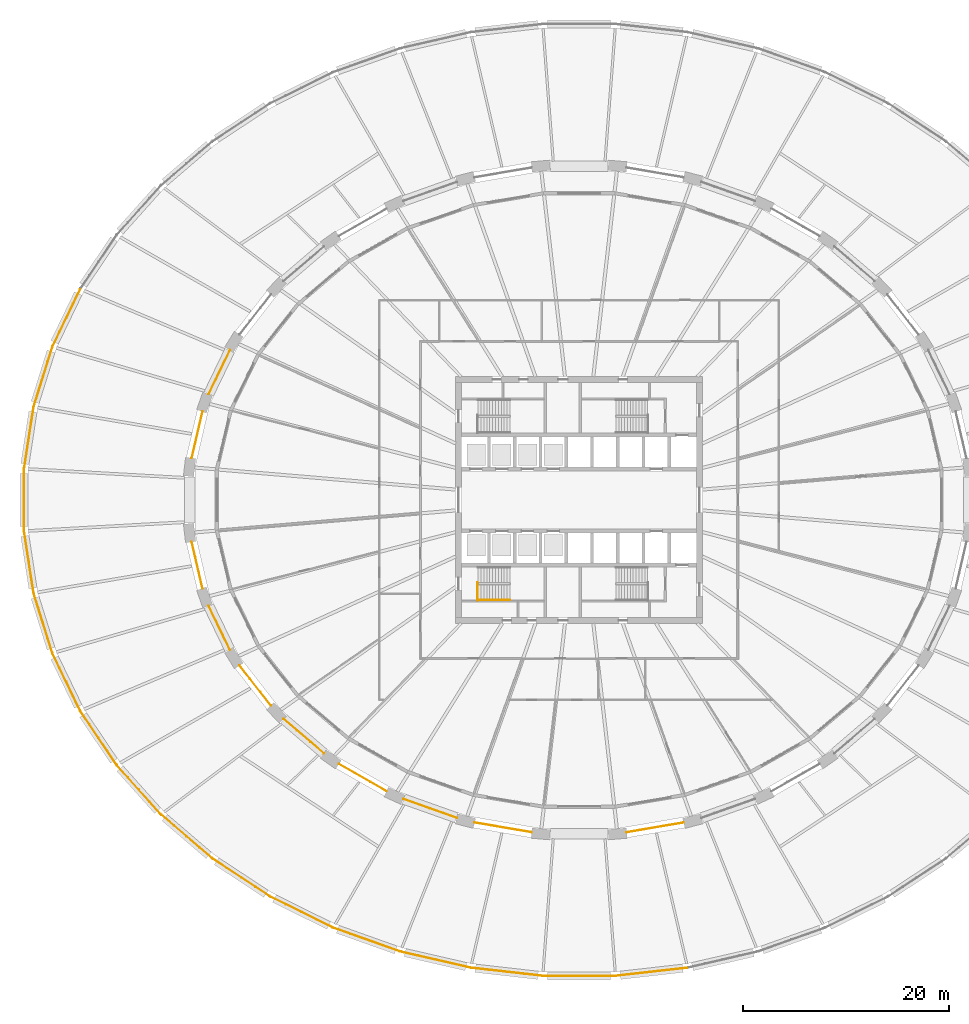
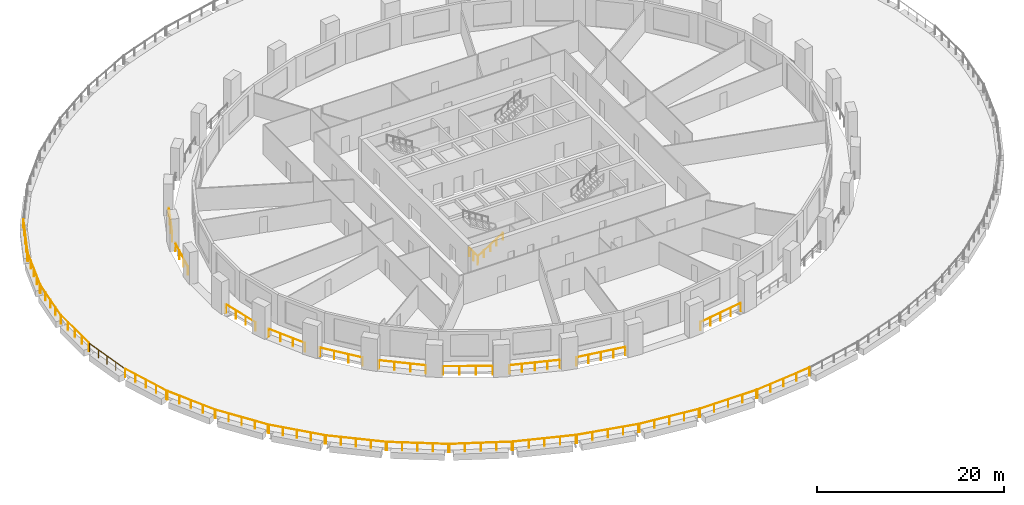
# One storey, part 12 of 16: 29 railings.
"""IFC4 building model written with IfcOpenShell, lengths in metres."""

from ifc_helpers import new_model, si_unit, direction, frame, origin, origin_2d, place, context, subcontext, project, spatial, circle, extrude, material, type_object, element, save


model = new_model("IFC4")

# Units and contexts
model_context = context("Model", 3, precision=1e-05, world=origin(), true_north=direction((0.0, 1.0)))
body_context = subcontext(model_context, "Body", "Model", "MODEL_VIEW")
ifc_project = project(units=[si_unit("LENGTHUNIT", "METRE"), si_unit("AREAUNIT", "SQUARE_METRE"), si_unit("VOLUMEUNIT", "CUBIC_METRE"), si_unit("PLANEANGLEUNIT", "RADIAN"), si_unit("MASSUNIT", "GRAM", prefix="KILO")], contexts=[model_context])

# Site, building, storey
site_placement = place(None, origin())
site = spatial("IfcSite", under=ifc_project, at=site_placement, CompositionType="ELEMENT")
building_placement = place(site_placement, origin())
building = spatial("IfcBuilding", under=site, at=building_placement, Name="Halqa Exchange Tower", CompositionType="ELEMENT")
storey_placement = place(building_placement, frame((0.0, 0.0, 23.5)))
storey = spatial("IfcBuildingStorey", under=building, at=storey_placement, Name="L04", CompositionType="ELEMENT", Elevation=23.5)

# Railings
ifc_material = material(Name="Stainless steel", Category="steel")
railing_type_1 = type_object("IfcRailingType", Name="Guard 1100 stainless steel", PredefinedType="GUARDRAIL", material=ifc_material)
railing_1_placement = place(storey_placement, frame((-33.904541015625, 14.543701171875, 0.0)))
element("IfcRailing", 1, at=railing_1_placement, inside=storey, type_object=railing_type_1, Name="Loggia guard 14", PredefinedType="GUARDRAIL", context=body_context, shape_type="SweptSolid", body=[
    extrude(circle(Radius=0.02392578125, at=origin_2d()), frame((0.0, 0.0, 1.076171875), z_axis=(-0.435129787392, -0.900367740495, 0.0), x_axis=(0.900367740495, -0.435129787392, 0.0)), (0.0, 0.0, 1.0), 4.751708984375),
    extrude(circle(Radius=0.02099609375, at=origin_2d()), origin(), (0.0, 0.0, 1.0), 1.052001953125),
    extrude(circle(Radius=0.02099609375, at=origin_2d()), frame((-0.689208984375, -1.426025390625, 0.0)), (0.0, 0.0, 1.0), 1.052001953125),
    extrude(circle(Radius=0.02099609375, at=origin_2d()), frame((-1.37841796875, -2.852294921875, 0.0)), (0.0, 0.0, 1.0), 1.052001953125),
    extrude(circle(Radius=0.02099609375, at=origin_2d()), frame((-2.067626953125, -4.2783203125, 0.0)), (0.0, 0.0, 1.0), 1.052001953125),
])
railing_2_placement = place(storey_placement, frame((-36.567138671875, 8.578369140625, 0.0)))
element("IfcRailing", 2, at=railing_2_placement, inside=storey, type_object=railing_type_1, Name="Loggia guard 15", PredefinedType="GUARDRAIL", context=body_context, shape_type="SweptSolid", body=[
    extrude(circle(Radius=0.02392578125, at=origin_2d()), frame((0.0, 0.0, 1.076171875), z_axis=(-0.22605731834, -0.974114001965, 0.0), x_axis=(0.974114001965, -0.22605731834, 0.0)), (0.0, 0.0, 1.0), 4.62890625),
    extrude(circle(Radius=0.02099609375, at=origin_2d()), origin(), (0.0, 0.0, 1.0), 1.052001953125),
    extrude(circle(Radius=0.02099609375, at=origin_2d()), frame((-0.348876953125, -1.5029296875, 0.0)), (0.0, 0.0, 1.0), 1.052001953125),
    extrude(circle(Radius=0.02099609375, at=origin_2d()), frame((-0.697509765625, -3.006103515625, 0.0)), (0.0, 0.0, 1.0), 1.052001953125),
    extrude(circle(Radius=0.02099609375, at=origin_2d()), frame((-1.04638671875, -4.509033203125, 0.0)), (0.0, 0.0, 1.0), 1.052001953125),
])
railing_3_placement = place(storey_placement, frame((-37.613525390625, -4.0693359375, 0.0)))
element("IfcRailing", 3, at=railing_3_placement, inside=storey, type_object=railing_type_1, Name="Loggia guard 17", PredefinedType="GUARDRAIL", context=body_context, shape_type="SweptSolid", body=[
    extrude(circle(Radius=0.02392578125, at=origin_2d()), frame((0.0, 0.0, 1.076171875), z_axis=(0.22605731834, -0.974114001965, 0.0), x_axis=(0.974114001965, 0.22605731834, 0.0)), (0.0, 0.0, 1.0), 4.62890625),
    extrude(circle(Radius=0.02099609375, at=origin_2d()), origin(), (0.0, 0.0, 1.0), 1.052001953125),
    extrude(circle(Radius=0.02099609375, at=origin_2d()), frame((0.348876953125, -1.5029296875, 0.0)), (0.0, 0.0, 1.0), 1.052001953125),
    extrude(circle(Radius=0.02099609375, at=origin_2d()), frame((0.697509765625, -3.006103515625, 0.0)), (0.0, 0.0, 1.0), 1.052001953125),
    extrude(circle(Radius=0.02099609375, at=origin_2d()), frame((1.04638671875, -4.509033203125, 0.0)), (0.0, 0.0, 1.0), 1.052001953125),
])
railing_4_placement = place(storey_placement, frame((-35.97216796875, -10.265380859375, 0.0)))
element("IfcRailing", 4, at=railing_4_placement, inside=storey, type_object=railing_type_1, Name="Loggia guard 18", PredefinedType="GUARDRAIL", context=body_context, shape_type="SweptSolid", body=[
    extrude(circle(Radius=0.02392578125, at=origin_2d()), frame((0.0, 0.0, 1.076171875), z_axis=(0.435129787392, -0.900367740495, 0.0), x_axis=(0.900367740495, 0.435129787392, 0.0)), (0.0, 0.0, 1.0), 4.751708984375),
    extrude(circle(Radius=0.02099609375, at=origin_2d()), origin(), (0.0, 0.0, 1.0), 1.052001953125),
    extrude(circle(Radius=0.02099609375, at=origin_2d()), frame((0.689208984375, -1.426025390625, 0.0)), (0.0, 0.0, 1.0), 1.052001953125),
    extrude(circle(Radius=0.02099609375, at=origin_2d()), frame((1.37841796875, -2.852294921875, 0.0)), (0.0, 0.0, 1.0), 1.052001953125),
    extrude(circle(Radius=0.02099609375, at=origin_2d()), frame((2.067626953125, -4.2783203125, 0.0)), (0.0, 0.0, 1.0), 1.052001953125),
])
railing_5_placement = place(storey_placement, frame((-32.959716796875, -16.06396484375, 0.0)))
element("IfcRailing", 5, at=railing_5_placement, inside=storey, type_object=railing_type_1, Name="Loggia guard 19", PredefinedType="GUARDRAIL", context=body_context, shape_type="SweptSolid", body=[
    extrude(circle(Radius=0.02392578125, at=origin_2d()), frame((0.0, 0.0, 1.076171875), z_axis=(0.614810778124, -0.78867465225, 0.0), x_axis=(0.78867465225, 0.614810778124, 0.0)), (0.0, 0.0, 1.0), 4.931640625),
    extrude(circle(Radius=0.02099609375, at=origin_2d()), origin(), (0.0, 0.0, 1.0), 1.052001953125),
    extrude(circle(Radius=0.02099609375, at=origin_2d()), frame((1.0107421875, -1.29638671875, 0.0)), (0.0, 0.0, 1.0), 1.052001953125),
    extrude(circle(Radius=0.02099609375, at=origin_2d()), frame((2.021240234375, -2.593017578125, 0.0)), (0.0, 0.0, 1.0), 1.052001953125),
    extrude(circle(Radius=0.02099609375, at=origin_2d()), frame((3.031982421875, -3.889404296875, 0.0)), (0.0, 0.0, 1.0), 1.052001953125),
])
railing_6_placement = place(storey_placement, frame((-28.691162109375, -21.248779296875, 0.0)))
element("IfcRailing", 6, at=railing_6_placement, inside=storey, type_object=railing_type_1, Name="Loggia guard 20", PredefinedType="GUARDRAIL", context=body_context, shape_type="SweptSolid", body=[
    extrude(circle(Radius=0.02392578125, at=origin_2d()), frame((0.0, 0.0, 1.076171875), z_axis=(0.759266665229, -0.650779633265, 0.0), x_axis=(0.650779633265, 0.759266665229, 0.0)), (0.0, 0.0, 1.0), 5.1376953125),
    extrude(circle(Radius=0.02099609375, at=origin_2d()), origin(), (0.0, 0.0, 1.0), 1.052001953125),
    extrude(circle(Radius=0.02099609375, at=origin_2d()), frame((1.30029296875, -1.114501953125, 0.0)), (0.0, 0.0, 1.0), 1.052001953125),
    extrude(circle(Radius=0.02099609375, at=origin_2d()), frame((2.6005859375, -2.22900390625, 0.0)), (0.0, 0.0, 1.0), 1.052001953125),
    extrude(circle(Radius=0.02099609375, at=origin_2d()), frame((3.90087890625, -3.343505859375, 0.0)), (0.0, 0.0, 1.0), 1.052001953125),
])
railing_7_placement = place(storey_placement, frame((-23.325927734375, -25.625244140625, 0.0)))
element("IfcRailing", 7, at=railing_7_placement, inside=storey, type_object=railing_type_1, Name="Loggia guard 21", PredefinedType="GUARDRAIL", context=body_context, shape_type="SweptSolid", body=[
    extrude(circle(Radius=0.02392578125, at=origin_2d()), frame((0.0, 0.0, 1.076171875), z_axis=(0.867752964109, -0.496995767869, 0.0), x_axis=(0.496995767869, 0.867752964109, 0.0)), (0.0, 0.0, 1.0), 5.337646484375),
    extrude(circle(Radius=0.02099609375, at=origin_2d()), origin(), (0.0, 0.0, 1.0), 1.052001953125),
    extrude(circle(Radius=0.02099609375, at=origin_2d()), frame((1.5439453125, -0.88427734375, 0.0)), (0.0, 0.0, 1.0), 1.052001953125),
    extrude(circle(Radius=0.02099609375, at=origin_2d()), frame((3.087890625, -1.7685546875, 0.0)), (0.0, 0.0, 1.0), 1.052001953125),
    extrude(circle(Radius=0.02099609375, at=origin_2d()), frame((4.6318359375, -2.65283203125, 0.0)), (0.0, 0.0, 1.0), 1.052001953125),
])
railing_8_placement = place(storey_placement, frame((-17.06494140625, -29.026611328125, 0.0)))
element("IfcRailing", 8, at=railing_8_placement, inside=storey, type_object=railing_type_1, Name="Loggia guard 22", PredefinedType="GUARDRAIL", context=body_context, shape_type="SweptSolid", body=[
    extrude(circle(Radius=0.02392578125, at=origin_2d()), frame((0.0, 0.0, 1.076171875), z_axis=(0.942364586874, -0.334587784305, 0.0), x_axis=(0.334587784305, 0.942364586874, 0.0)), (0.0, 0.0, 1.0), 5.503173828125),
    extrude(circle(Radius=0.02099609375, at=origin_2d()), origin(), (0.0, 0.0, 1.0), 1.052001953125),
    extrude(circle(Radius=0.02099609375, at=origin_2d()), frame((1.29638671875, -0.46044921875, 0.0)), (0.0, 0.0, 1.0), 1.052001953125),
    extrude(circle(Radius=0.02099609375, at=origin_2d()), frame((2.593017578125, -0.920654296875, 0.0)), (0.0, 0.0, 1.0), 1.052001953125),
    extrude(circle(Radius=0.02099609375, at=origin_2d()), frame((3.8896484375, -1.380859375, 0.0)), (0.0, 0.0, 1.0), 1.052001953125),
    extrude(circle(Radius=0.02099609375, at=origin_2d()), frame((5.18603515625, -1.84130859375, 0.0)), (0.0, 0.0, 1.0), 1.052001953125),
])
railing_9_placement = place(storey_placement, frame((-10.1435546875, -31.3203125, 0.0)))
element("IfcRailing", 9, at=railing_9_placement, inside=storey, type_object=railing_type_1, Name="Loggia guard 23", PredefinedType="GUARDRAIL", context=body_context, shape_type="SweptSolid", body=[
    extrude(circle(Radius=0.02392578125, at=origin_2d()), frame((0.0, 0.0, 1.076171875), z_axis=(0.985782862514, -0.16802424817, 0.0), x_axis=(0.16802424817, 0.985782862514, 0.0)), (0.0, 0.0, 1.0), 5.611572265625),
    extrude(circle(Radius=0.02099609375, at=origin_2d()), origin(), (0.0, 0.0, 1.0), 1.052001953125),
    extrude(circle(Radius=0.02099609375, at=origin_2d()), frame((1.3828125, -0.23583984375, 0.0)), (0.0, 0.0, 1.0), 1.052001953125),
    extrude(circle(Radius=0.02099609375, at=origin_2d()), frame((2.765869140625, -0.471435546875, 0.0)), (0.0, 0.0, 1.0), 1.052001953125),
    extrude(circle(Radius=0.02099609375, at=origin_2d()), frame((4.14892578125, -0.70703125, 0.0)), (0.0, 0.0, 1.0), 1.052001953125),
    extrude(circle(Radius=0.02099609375, at=origin_2d()), frame((5.53173828125, -0.94287109375, 0.0)), (0.0, 0.0, 1.0), 1.052001953125),
])
railing_10_placement = place(storey_placement, frame((4.61181640625, -32.26318359375, 0.0)))
element("IfcRailing", 10, at=railing_10_placement, inside=storey, type_object=railing_type_1, Name="Loggia guard 25", PredefinedType="GUARDRAIL", context=body_context, shape_type="SweptSolid", body=[
    extrude(circle(Radius=0.02392578125, at=origin_2d()), frame((0.0, 0.0, 1.076171875), z_axis=(0.985782862514, 0.16802424817, 0.0), x_axis=(-0.16802424817, 0.985782862514, 0.0)), (0.0, 0.0, 1.0), 5.611572265625),
    extrude(circle(Radius=0.02099609375, at=origin_2d()), origin(), (0.0, 0.0, 1.0), 1.052001953125),
    extrude(circle(Radius=0.02099609375, at=origin_2d()), frame((1.3828125, 0.23583984375, 0.0)), (0.0, 0.0, 1.0), 1.052001953125),
    extrude(circle(Radius=0.02099609375, at=origin_2d()), frame((2.765869140625, 0.471435546875, 0.0)), (0.0, 0.0, 1.0), 1.052001953125),
    extrude(circle(Radius=0.02099609375, at=origin_2d()), frame((4.14892578125, 0.70703125, 0.0)), (0.0, 0.0, 1.0), 1.052001953125),
    extrude(circle(Radius=0.02099609375, at=origin_2d()), frame((5.53173828125, 0.94287109375, 0.0)), (0.0, 0.0, 1.0), 1.052001953125),
])
railing_11_placement = place(storey_placement, frame((-48.457275390625, 20.424072265625, 0.0)))
element("IfcRailing", 11, at=railing_11_placement, inside=storey, type_object=railing_type_1, Name="Terrace guard 21", PredefinedType="GUARDRAIL", context=body_context, shape_type="SweptSolid", body=[
    extrude(circle(Radius=0.02392578125, at=origin_2d()), frame((0.0, 0.0, 1.076171875), z_axis=(-0.43497759406, -0.900441276634, 0.0), x_axis=(0.900441276634, -0.43497759406, 0.0)), (0.0, 0.0, 1.0), 6.09423828125),
    extrude(circle(Radius=0.02099609375, at=origin_2d()), origin(), (0.0, 0.0, 1.0), 1.052001953125),
    extrude(circle(Radius=0.02099609375, at=origin_2d()), frame((-0.66259765625, -1.371826171875, 0.0)), (0.0, 0.0, 1.0), 1.052001953125),
    extrude(circle(Radius=0.02099609375, at=origin_2d()), frame((-1.325439453125, -2.74365234375, 0.0)), (0.0, 0.0, 1.0), 1.052001953125),
    extrude(circle(Radius=0.02099609375, at=origin_2d()), frame((-1.98828125, -4.11572265625, 0.0)), (0.0, 0.0, 1.0), 1.052001953125),
    extrude(circle(Radius=0.02099609375, at=origin_2d()), frame((-2.65087890625, -5.487548828125, 0.0)), (0.0, 0.0, 1.0), 1.052001953125),
])
railing_12_placement = place(storey_placement, frame((-51.152099609375, 14.825439453125, 0.0)))
element("IfcRailing", 12, at=railing_12_placement, inside=storey, type_object=railing_type_1, Name="Terrace guard 22", PredefinedType="GUARDRAIL", context=body_context, shape_type="SweptSolid", body=[
    extrude(circle(Radius=0.02392578125, at=origin_2d()), frame((0.0, 0.0, 1.076171875), z_axis=(-0.298302754181, -0.954471302265, 0.0), x_axis=(0.954471302265, -0.298302754181, 0.0)), (0.0, 0.0, 1.0), 6.009033203125),
    extrude(circle(Radius=0.02099609375, at=origin_2d()), origin(), (0.0, 0.0, 1.0), 1.052001953125),
    extrude(circle(Radius=0.02099609375, at=origin_2d()), frame((-0.4482421875, -1.433837890625, 0.0)), (0.0, 0.0, 1.0), 1.052001953125),
    extrude(circle(Radius=0.02099609375, at=origin_2d()), frame((-0.896240234375, -2.86767578125, 0.0)), (0.0, 0.0, 1.0), 1.052001953125),
    extrude(circle(Radius=0.02099609375, at=origin_2d()), frame((-1.34423828125, -4.301513671875, 0.0)), (0.0, 0.0, 1.0), 1.052001953125),
    extrude(circle(Radius=0.02099609375, at=origin_2d()), frame((-1.79248046875, -5.7353515625, 0.0)), (0.0, 0.0, 1.0), 1.052001953125),
])
railing_13_placement = place(storey_placement, frame((-52.971435546875, 8.973388671875, 0.0)))
element("IfcRailing", 13, at=railing_13_placement, inside=storey, type_object=railing_type_1, Name="Terrace guard 23", PredefinedType="GUARDRAIL", context=body_context, shape_type="SweptSolid", body=[
    extrude(circle(Radius=0.02392578125, at=origin_2d()), frame((0.0, 0.0, 1.076171875), z_axis=(-0.151773748325, -0.988415261578, 0.0), x_axis=(0.988415261578, -0.151773748325, 0.0)), (0.0, 0.0, 1.0), 5.955078125),
    extrude(circle(Radius=0.02099609375, at=origin_2d()), origin(), (0.0, 0.0, 1.0), 1.052001953125),
    extrude(circle(Radius=0.02099609375, at=origin_2d()), frame((-0.22607421875, -1.471435546875, 0.0)), (0.0, 0.0, 1.0), 1.052001953125),
    extrude(circle(Radius=0.02099609375, at=origin_2d()), frame((-0.451904296875, -2.94287109375, 0.0)), (0.0, 0.0, 1.0), 1.052001953125),
    extrude(circle(Radius=0.02099609375, at=origin_2d()), frame((-0.677734375, -4.41455078125, 0.0)), (0.0, 0.0, 1.0), 1.052001953125),
    extrude(circle(Radius=0.02099609375, at=origin_2d()), frame((-0.90380859375, -5.885986328125, 0.0)), (0.0, 0.0, 1.0), 1.052001953125),
])
railing_14_placement = place(storey_placement, frame((-53.884521484375, 2.96826171875, 0.0)))
element("IfcRailing", 14, at=railing_14_placement, inside=storey, type_object=railing_type_1, Name="Terrace guard 24", PredefinedType="GUARDRAIL", context=body_context, shape_type="SweptSolid", body=[
    extrude(circle(Radius=0.02392578125, at=origin_2d()), frame((0.0, 0.0, 1.076171875), z_axis=(0.0, -1.0, 0.0), x_axis=(1.0, 0.0, 0.0)), (0.0, 0.0, 1.0), 5.9365234375),
    extrude(circle(Radius=0.02099609375, at=origin_2d()), origin(), (0.0, 0.0, 1.0), 1.052001953125),
    extrude(circle(Radius=0.02099609375, at=origin_2d()), frame((0.0, -1.484130859375, 0.0)), (0.0, 0.0, 1.0), 1.052001953125),
    extrude(circle(Radius=0.02099609375, at=origin_2d()), frame((0.0, -2.96826171875, 0.0)), (0.0, 0.0, 1.0), 1.052001953125),
    extrude(circle(Radius=0.02099609375, at=origin_2d()), frame((0.0, -4.452392578125, 0.0)), (0.0, 0.0, 1.0), 1.052001953125),
    extrude(circle(Radius=0.02099609375, at=origin_2d()), frame((0.0, -5.9365234375, 0.0)), (0.0, 0.0, 1.0), 1.052001953125),
])
railing_15_placement = place(storey_placement, frame((-53.875244140625, -3.08740234375, 0.0)))
element("IfcRailing", 15, at=railing_15_placement, inside=storey, type_object=railing_type_1, Name="Terrace guard 25", PredefinedType="GUARDRAIL", context=body_context, shape_type="SweptSolid", body=[
    extrude(circle(Radius=0.02392578125, at=origin_2d()), frame((0.0, 0.0, 1.076171875), z_axis=(0.151773748325, -0.988415261578, 0.0), x_axis=(0.988415261578, 0.151773748325, 0.0)), (0.0, 0.0, 1.0), 5.955078125),
    extrude(circle(Radius=0.02099609375, at=origin_2d()), origin(), (0.0, 0.0, 1.0), 1.052001953125),
    extrude(circle(Radius=0.02099609375, at=origin_2d()), frame((0.22607421875, -1.471435546875, 0.0)), (0.0, 0.0, 1.0), 1.052001953125),
    extrude(circle(Radius=0.02099609375, at=origin_2d()), frame((0.451904296875, -2.94287109375, 0.0)), (0.0, 0.0, 1.0), 1.052001953125),
    extrude(circle(Radius=0.02099609375, at=origin_2d()), frame((0.677734375, -4.41455078125, 0.0)), (0.0, 0.0, 1.0), 1.052001953125),
    extrude(circle(Radius=0.02099609375, at=origin_2d()), frame((0.90380859375, -5.885986328125, 0.0)), (0.0, 0.0, 1.0), 1.052001953125),
])
railing_16_placement = place(storey_placement, frame((-52.944580078125, -9.090087890625, 0.0)))
element("IfcRailing", 16, at=railing_16_placement, inside=storey, type_object=railing_type_1, Name="Terrace guard 26", PredefinedType="GUARDRAIL", context=body_context, shape_type="SweptSolid", body=[
    extrude(circle(Radius=0.02392578125, at=origin_2d()), frame((0.0, 0.0, 1.076171875), z_axis=(0.298302754181, -0.954471302265, 0.0), x_axis=(0.954471302265, 0.298302754181, 0.0)), (0.0, 0.0, 1.0), 6.009033203125),
    extrude(circle(Radius=0.02099609375, at=origin_2d()), origin(), (0.0, 0.0, 1.0), 1.052001953125),
    extrude(circle(Radius=0.02099609375, at=origin_2d()), frame((0.4482421875, -1.433837890625, 0.0)), (0.0, 0.0, 1.0), 1.052001953125),
    extrude(circle(Radius=0.02099609375, at=origin_2d()), frame((0.896240234375, -2.86767578125, 0.0)), (0.0, 0.0, 1.0), 1.052001953125),
    extrude(circle(Radius=0.02099609375, at=origin_2d()), frame((1.34423828125, -4.301513671875, 0.0)), (0.0, 0.0, 1.0), 1.052001953125),
    extrude(circle(Radius=0.02099609375, at=origin_2d()), frame((1.79248046875, -5.7353515625, 0.0)), (0.0, 0.0, 1.0), 1.052001953125),
])
railing_17_placement = place(storey_placement, frame((-51.108154296875, -14.9365234375, 0.0)))
element("IfcRailing", 17, at=railing_17_placement, inside=storey, type_object=railing_type_1, Name="Terrace guard 27", PredefinedType="GUARDRAIL", context=body_context, shape_type="SweptSolid", body=[
    extrude(circle(Radius=0.02392578125, at=origin_2d()), frame((0.0, 0.0, 1.076171875), z_axis=(0.43497759406, -0.900441276634, 0.0), x_axis=(0.900441276634, 0.43497759406, 0.0)), (0.0, 0.0, 1.0), 6.09423828125),
    extrude(circle(Radius=0.02099609375, at=origin_2d()), origin(), (0.0, 0.0, 1.0), 1.052001953125),
    extrude(circle(Radius=0.02099609375, at=origin_2d()), frame((0.66259765625, -1.371826171875, 0.0)), (0.0, 0.0, 1.0), 1.052001953125),
    extrude(circle(Radius=0.02099609375, at=origin_2d()), frame((1.325439453125, -2.74365234375, 0.0)), (0.0, 0.0, 1.0), 1.052001953125),
    extrude(circle(Radius=0.02099609375, at=origin_2d()), frame((1.98828125, -4.11572265625, 0.0)), (0.0, 0.0, 1.0), 1.052001953125),
    extrude(circle(Radius=0.02099609375, at=origin_2d()), frame((2.65087890625, -5.487548828125, 0.0)), (0.0, 0.0, 1.0), 1.052001953125),
])
railing_18_placement = place(storey_placement, frame((-48.397705078125, -20.52783203125, 0.0)))
element("IfcRailing", 18, at=railing_18_placement, inside=storey, type_object=railing_type_1, Name="Terrace guard 28", PredefinedType="GUARDRAIL", context=body_context, shape_type="SweptSolid", body=[
    extrude(circle(Radius=0.02392578125, at=origin_2d()), frame((0.0, 0.0, 1.076171875), z_axis=(0.558563355694, -0.82946186029, 0.0), x_axis=(0.82946186029, 0.558563355694, 0.0)), (0.0, 0.0, 1.0), 6.203125),
    extrude(circle(Radius=0.02099609375, at=origin_2d()), origin(), (0.0, 0.0, 1.0), 1.052001953125),
    extrude(circle(Radius=0.02099609375, at=origin_2d()), frame((0.8662109375, -1.286376953125, 0.0)), (0.0, 0.0, 1.0), 1.052001953125),
    extrude(circle(Radius=0.02099609375, at=origin_2d()), frame((1.732421875, -2.57275390625, 0.0)), (0.0, 0.0, 1.0), 1.052001953125),
    extrude(circle(Radius=0.02099609375, at=origin_2d()), frame((2.5986328125, -3.85888671875, 0.0)), (0.0, 0.0, 1.0), 1.052001953125),
    extrude(circle(Radius=0.02099609375, at=origin_2d()), frame((3.46484375, -5.145263671875, 0.0)), (0.0, 0.0, 1.0), 1.052001953125),
])
railing_19_placement = place(storey_placement, frame((-44.859375, -25.767578125, 0.0)))
element("IfcRailing", 19, at=railing_19_placement, inside=storey, type_object=railing_type_1, Name="Terrace guard 29", PredefinedType="GUARDRAIL", context=body_context, shape_type="SweptSolid", body=[
    extrude(circle(Radius=0.02392578125, at=origin_2d()), frame((0.0, 0.0, 1.076171875), z_axis=(0.666881693057, -0.745163611206, 0.0), x_axis=(0.745163611206, 0.666881693057, 0.0)), (0.0, 0.0, 1.0), 6.327880859375),
    extrude(circle(Radius=0.02099609375, at=origin_2d()), origin(), (0.0, 0.0, 1.0), 1.052001953125),
    extrude(circle(Radius=0.02099609375, at=origin_2d()), frame((1.054931640625, -1.1787109375, 0.0)), (0.0, 0.0, 1.0), 1.052001953125),
    extrude(circle(Radius=0.02099609375, at=origin_2d()), frame((2.10986328125, -2.357666015625, 0.0)), (0.0, 0.0, 1.0), 1.052001953125),
    extrude(circle(Radius=0.02099609375, at=origin_2d()), frame((3.1650390625, -3.53662109375, 0.0)), (0.0, 0.0, 1.0), 1.052001953125),
    extrude(circle(Radius=0.02099609375, at=origin_2d()), frame((4.219970703125, -4.71533203125, 0.0)), (0.0, 0.0, 1.0), 1.052001953125),
])
railing_20_placement = place(storey_placement, frame((-40.5537109375, -30.566650390625, 0.0)))
element("IfcRailing", 20, at=railing_20_placement, inside=storey, type_object=railing_type_1, Name="Terrace guard 30", PredefinedType="GUARDRAIL", context=body_context, shape_type="SweptSolid", body=[
    extrude(circle(Radius=0.02392578125, at=origin_2d()), frame((0.0, 0.0, 1.076171875), z_axis=(0.759139199073, -0.650928318966, 0.0), x_axis=(0.650928318966, 0.759139199073, 0.0)), (0.0, 0.0, 1.0), 6.45947265625),
    extrude(circle(Radius=0.02099609375, at=origin_2d()), origin(), (0.0, 0.0, 1.0), 1.052001953125),
    extrude(circle(Radius=0.02099609375, at=origin_2d()), frame((1.225830078125, -1.05126953125, 0.0)), (0.0, 0.0, 1.0), 1.052001953125),
    extrude(circle(Radius=0.02099609375, at=origin_2d()), frame((2.45166015625, -2.102294921875, 0.0)), (0.0, 0.0, 1.0), 1.052001953125),
    extrude(circle(Radius=0.02099609375, at=origin_2d()), frame((3.677734375, -3.1533203125, 0.0)), (0.0, 0.0, 1.0), 1.052001953125),
    extrude(circle(Radius=0.02099609375, at=origin_2d()), frame((4.903564453125, -4.20458984375, 0.0)), (0.0, 0.0, 1.0), 1.052001953125),
])
railing_21_placement = place(storey_placement, frame((-35.5546875, -34.84326171875, 0.0)))
element("IfcRailing", 21, at=railing_21_placement, inside=storey, type_object=railing_type_1, Name="Terrace guard 31", PredefinedType="GUARDRAIL", context=body_context, shape_type="SweptSolid", body=[
    extrude(circle(Radius=0.02392578125, at=origin_2d()), frame((0.0, 0.0, 1.076171875), z_axis=(0.835415738884, -0.549618543379, 0.0), x_axis=(0.549618543379, 0.835415738884, 0.0)), (0.0, 0.0, 1.0), 6.587890625),
    extrude(circle(Radius=0.02099609375, at=origin_2d()), origin(), (0.0, 0.0, 1.0), 1.052001953125),
    extrude(circle(Radius=0.02099609375, at=origin_2d()), frame((1.3759765625, -0.9052734375, 0.0)), (0.0, 0.0, 1.0), 1.052001953125),
    extrude(circle(Radius=0.02099609375, at=origin_2d()), frame((2.751953125, -1.810546875, 0.0)), (0.0, 0.0, 1.0), 1.052001953125),
    extrude(circle(Radius=0.02099609375, at=origin_2d()), frame((4.127685546875, -2.715576171875, 0.0)), (0.0, 0.0, 1.0), 1.052001953125),
    extrude(circle(Radius=0.02099609375, at=origin_2d()), frame((5.503662109375, -3.620849609375, 0.0)), (0.0, 0.0, 1.0), 1.052001953125),
])
railing_22_placement = place(storey_placement, frame((-29.947021484375, -38.523681640625, 0.0)))
element("IfcRailing", 22, at=railing_22_placement, inside=storey, type_object=railing_type_1, Name="Terrace guard 32", PredefinedType="GUARDRAIL", context=body_context, shape_type="SweptSolid", body=[
    extrude(circle(Radius=0.02392578125, at=origin_2d()), frame((0.0, 0.0, 1.076171875), z_axis=(0.896211273818, -0.443627493154, 0.0), x_axis=(0.443627493154, 0.896211273818, 0.0)), (0.0, 0.0, 1.0), 6.705810546875),
    extrude(circle(Radius=0.02099609375, at=origin_2d()), origin(), (0.0, 0.0, 1.0), 1.052001953125),
    extrude(circle(Radius=0.02099609375, at=origin_2d()), frame((1.50244140625, -0.74365234375, 0.0)), (0.0, 0.0, 1.0), 1.052001953125),
    extrude(circle(Radius=0.02099609375, at=origin_2d()), frame((3.0048828125, -1.4873046875, 0.0)), (0.0, 0.0, 1.0), 1.052001953125),
    extrude(circle(Radius=0.02099609375, at=origin_2d()), frame((4.50732421875, -2.231201171875, 0.0)), (0.0, 0.0, 1.0), 1.052001953125),
    extrude(circle(Radius=0.02099609375, at=origin_2d()), frame((6.009765625, -2.974853515625, 0.0)), (0.0, 0.0, 1.0), 1.052001953125),
])
railing_23_placement = place(storey_placement, frame((-23.8271484375, -41.545166015625, 0.0)))
element("IfcRailing", 23, at=railing_23_placement, inside=storey, type_object=railing_type_1, Name="Terrace guard 33", PredefinedType="GUARDRAIL", context=body_context, shape_type="SweptSolid", body=[
    extrude(circle(Radius=0.02392578125, at=origin_2d()), frame((0.0, 0.0, 1.076171875), z_axis=(0.942332150503, -0.334679127119, 0.0), x_axis=(0.334679127119, 0.942332150503, 0.0)), (0.0, 0.0, 1.0), 6.80517578125),
    extrude(circle(Radius=0.02099609375, at=origin_2d()), origin(), (0.0, 0.0, 1.0), 1.052001953125),
    extrude(circle(Radius=0.02099609375, at=origin_2d()), frame((1.603271484375, -0.5693359375, 0.0)), (0.0, 0.0, 1.0), 1.052001953125),
    extrude(circle(Radius=0.02099609375, at=origin_2d()), frame((3.20654296875, -1.138671875, 0.0)), (0.0, 0.0, 1.0), 1.052001953125),
    extrude(circle(Radius=0.02099609375, at=origin_2d()), frame((4.8095703125, -1.708251953125, 0.0)), (0.0, 0.0, 1.0), 1.052001953125),
    extrude(circle(Radius=0.02099609375, at=origin_2d()), frame((6.412841796875, -2.277587890625, 0.0)), (0.0, 0.0, 1.0), 1.052001953125),
])
railing_24_placement = place(storey_placement, frame((-17.29931640625, -43.8564453125, 0.0)))
element("IfcRailing", 24, at=railing_24_placement, inside=storey, type_object=railing_type_1, Name="Terrace guard 34", PredefinedType="GUARDRAIL", context=body_context, shape_type="SweptSolid", body=[
    extrude(circle(Radius=0.02392578125, at=origin_2d()), frame((0.0, 0.0, 1.076171875), z_axis=(0.974614368712, -0.223890223772, 0.0), x_axis=(0.223890223772, 0.974614368712, 0.0)), (0.0, 0.0, 1.0), 6.880615234375),
    extrude(circle(Radius=0.02099609375, at=origin_2d()), origin(), (0.0, 0.0, 1.0), 1.052001953125),
    extrude(circle(Radius=0.02099609375, at=origin_2d()), frame((1.676513671875, -0.38525390625, 0.0)), (0.0, 0.0, 1.0), 1.052001953125),
    extrude(circle(Radius=0.02099609375, at=origin_2d()), frame((3.35302734375, -0.770263671875, 0.0)), (0.0, 0.0, 1.0), 1.052001953125),
    extrude(circle(Radius=0.02099609375, at=origin_2d()), frame((5.029541015625, -1.1552734375, 0.0)), (0.0, 0.0, 1.0), 1.052001953125),
    extrude(circle(Radius=0.02099609375, at=origin_2d()), frame((6.7060546875, -1.54052734375, 0.0)), (0.0, 0.0, 1.0), 1.052001953125),
])
railing_25_placement = place(storey_placement, frame((-10.475341796875, -45.417236328125, 0.0)))
element("IfcRailing", 25, at=railing_25_placement, inside=storey, type_object=railing_type_1, Name="Terrace guard 35", PredefinedType="GUARDRAIL", context=body_context, shape_type="SweptSolid", body=[
    extrude(circle(Radius=0.02392578125, at=origin_2d()), frame((0.0, 0.0, 1.076171875), z_axis=(0.993692742672, -0.112137117679, 0.0), x_axis=(0.112137117679, 0.993692742672, 0.0)), (0.0, 0.0, 1.0), 6.927734375),
    extrude(circle(Radius=0.02099609375, at=origin_2d()), origin(), (0.0, 0.0, 1.0), 1.052001953125),
    extrude(circle(Radius=0.02099609375, at=origin_2d()), frame((1.720947265625, -0.1943359375, 0.0)), (0.0, 0.0, 1.0), 1.052001953125),
    extrude(circle(Radius=0.02099609375, at=origin_2d()), frame((3.44189453125, -0.388427734375, 0.0)), (0.0, 0.0, 1.0), 1.052001953125),
    extrude(circle(Radius=0.02099609375, at=origin_2d()), frame((5.1630859375, -0.58251953125, 0.0)), (0.0, 0.0, 1.0), 1.052001953125),
    extrude(circle(Radius=0.02099609375, at=origin_2d()), frame((6.884033203125, -0.77685546875, 0.0)), (0.0, 0.0, 1.0), 1.052001953125),
])
railing_26_placement = place(storey_placement, frame((-3.4716796875, -46.200927734375, 0.0)))
element("IfcRailing", 26, at=railing_26_placement, inside=storey, type_object=railing_type_1, Name="Terrace guard 36", PredefinedType="GUARDRAIL", context=body_context, shape_type="SweptSolid", body=[
    extrude(circle(Radius=0.02392578125, at=origin_2d()), frame((0.0, 0.0, 1.076171875), z_axis=(1.0, 0.0, 0.0), x_axis=(0.0, 1.0, 0.0)), (0.0, 0.0, 1.0), 6.943359375),
    extrude(circle(Radius=0.02099609375, at=origin_2d()), origin(), (0.0, 0.0, 1.0), 1.052001953125),
    extrude(circle(Radius=0.02099609375, at=origin_2d()), frame((1.73583984375, 0.0, 0.0)), (0.0, 0.0, 1.0), 1.052001953125),
    extrude(circle(Radius=0.02099609375, at=origin_2d()), frame((3.4716796875, 0.0, 0.0)), (0.0, 0.0, 1.0), 1.052001953125),
    extrude(circle(Radius=0.02099609375, at=origin_2d()), frame((5.20751953125, 0.0, 0.0)), (0.0, 0.0, 1.0), 1.052001953125),
    extrude(circle(Radius=0.02099609375, at=origin_2d()), frame((6.943359375, 0.0, 0.0)), (0.0, 0.0, 1.0), 1.052001953125),
])
railing_27_placement = place(storey_placement, frame((3.59130859375, -46.194091796875, 0.0)))
element("IfcRailing", 27, at=railing_27_placement, inside=storey, type_object=railing_type_1, Name="Terrace guard 37", PredefinedType="GUARDRAIL", context=body_context, shape_type="SweptSolid", body=[
    extrude(circle(Radius=0.02392578125, at=origin_2d()), frame((0.0, 0.0, 1.076171875), z_axis=(0.993692742672, 0.112137117679, 0.0), x_axis=(-0.112137117679, 0.993692742672, 0.0)), (0.0, 0.0, 1.0), 6.927734375),
    extrude(circle(Radius=0.02099609375, at=origin_2d()), origin(), (0.0, 0.0, 1.0), 1.052001953125),
    extrude(circle(Radius=0.02099609375, at=origin_2d()), frame((1.720947265625, 0.1943359375, 0.0)), (0.0, 0.0, 1.0), 1.052001953125),
    extrude(circle(Radius=0.02099609375, at=origin_2d()), frame((3.44189453125, 0.388427734375, 0.0)), (0.0, 0.0, 1.0), 1.052001953125),
    extrude(circle(Radius=0.02099609375, at=origin_2d()), frame((5.1630859375, 0.58251953125, 0.0)), (0.0, 0.0, 1.0), 1.052001953125),
    extrude(circle(Radius=0.02099609375, at=origin_2d()), frame((6.884033203125, 0.77685546875, 0.0)), (0.0, 0.0, 1.0), 1.052001953125),
])
railing_type_2 = type_object("IfcRailingType", Name="Stair handrail 900", PredefinedType="HANDRAIL", material=ifc_material)
railing_28_placement = place(storey_placement, frame((-9.800048828125, -9.699951171875, 0.175048828125)))
element("IfcRailing", 28, at=railing_28_placement, inside=storey, type_object=railing_type_2, Name="Handrail ST3.2", PredefinedType="HANDRAIL", context=body_context, shape_type="SweptSolid", body=[
    extrude(circle(Radius=0.02392578125, at=origin_2d()), frame((0.0, 0.0, 0.8759765625), z_axis=(0.847998304005, 0.0, 0.529998940003), x_axis=(0.0, 1.0, 0.0)), (0.0, 0.0, 1.0), 3.632080078125),
    extrude(circle(Radius=0.02099609375, at=origin_2d()), origin(), (0.0, 0.0, 1.0), 0.851806640625),
    extrude(circle(Radius=0.02099609375, at=origin_2d()), frame((0.77001953125, 0.0, 0.481201171875)), (0.0, 0.0, 1.0), 0.851806640625),
    extrude(circle(Radius=0.02099609375, at=origin_2d()), frame((1.5400390625, 0.0, 0.96240234375)), (0.0, 0.0, 1.0), 0.851806640625),
    extrude(circle(Radius=0.02099609375, at=origin_2d()), frame((2.31005859375, 0.0, 1.44384765625)), (0.0, 0.0, 1.0), 0.851806640625),
    extrude(circle(Radius=0.02099609375, at=origin_2d()), frame((3.080078125, 0.0, 1.925048828125)), (0.0, 0.0, 1.0), 0.851806640625),
])
railing_type_3 = type_object("IfcRailingType", Name="Stair well guard 1100", PredefinedType="GUARDRAIL", material=ifc_material)
railing_29_placement = place(storey_placement, frame((-9.85009765625, -9.75, 0.0)))
element("IfcRailing", 29, at=railing_29_placement, inside=storey, type_object=railing_type_3, Name="Guard ST3 well", PredefinedType="GUARDRAIL", context=body_context, shape_type="SweptSolid", body=[
    extrude(circle(Radius=0.02392578125, at=origin_2d()), frame((0.0, 0.0, 1.076171875), z_axis=(0.0, 1.0, 0.0), x_axis=(-1.0, 0.0, 0.0)), (0.0, 0.0, 1.0), 1.75),
    extrude(circle(Radius=0.02099609375, at=origin_2d()), origin(), (0.0, 0.0, 1.0), 1.052001953125),
    extrude(circle(Radius=0.02099609375, at=origin_2d()), frame((0.0, 0.875, 0.0)), (0.0, 0.0, 1.0), 1.052001953125),
    extrude(circle(Radius=0.02099609375, at=origin_2d()), frame((0.0, 1.75, 0.0)), (0.0, 0.0, 1.0), 1.052001953125),
])

save(model, "model.ifc")
